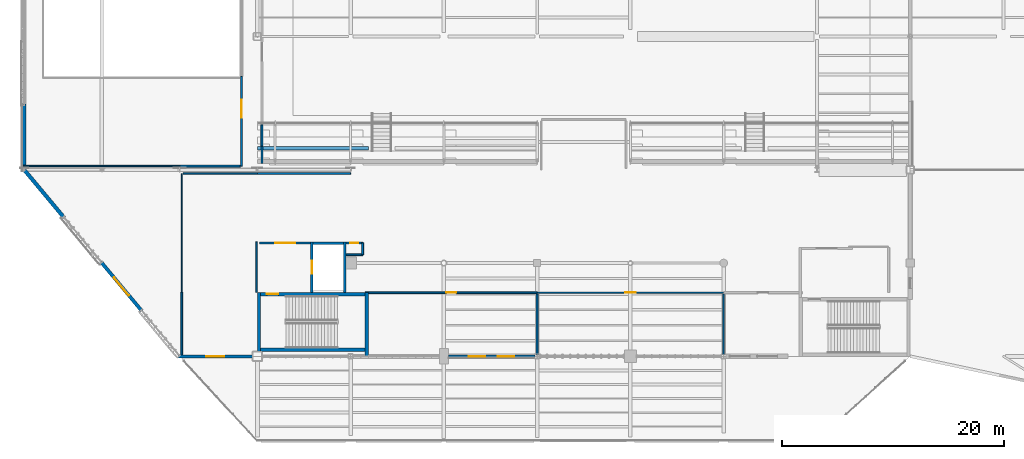
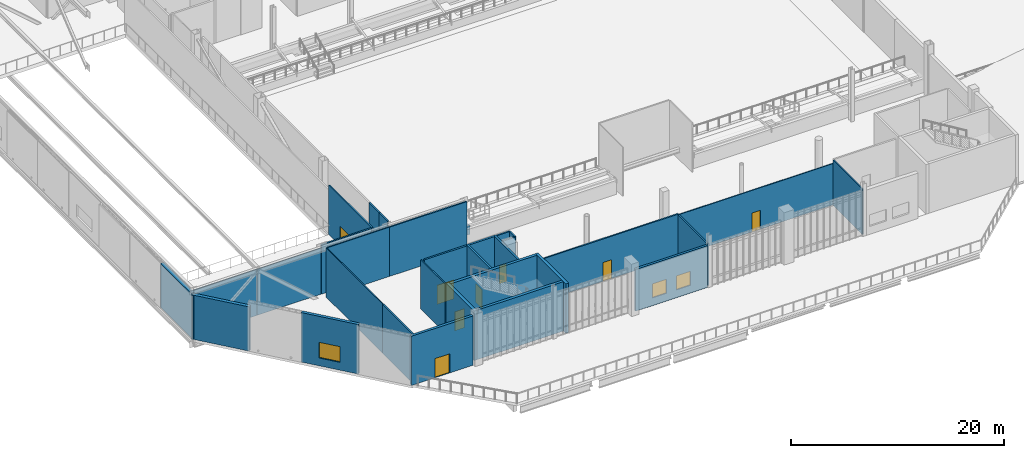
# One storey, part 106 of 135: 32 walls, 8 doors, 3 windows, 11 openings.
"""IFC4 building model written with IfcOpenShell, lengths in metres."""

from ifc_helpers import new_model, si_unit, direction, frame, frame_2d, origin, place, context, subcontext, project, spatial, rectangle, extrude, material, layer, layer_set, type_object, element, fill, save


model = new_model("IFC4")

# Units and contexts
model_context = context("Model", 3, precision=1e-05, world=origin(), true_north=direction((0.0, 1.0)))
body_context = subcontext(model_context, "Body", "Model", "MODEL_VIEW")
ifc_project = project(units=[si_unit("LENGTHUNIT", "METRE"), si_unit("AREAUNIT", "SQUARE_METRE"), si_unit("VOLUMEUNIT", "CUBIC_METRE"), si_unit("PLANEANGLEUNIT", "RADIAN"), si_unit("MASSUNIT", "GRAM", prefix="KILO")], contexts=[model_context])

# Site, building, storey
site_placement = place(None, origin())
site = spatial("IfcSite", under=ifc_project, at=site_placement, CompositionType="ELEMENT")
building_placement = place(site_placement, origin())
building = spatial("IfcBuilding", under=site, at=building_placement, Name="Larkvane Passage Sports Hall", CompositionType="ELEMENT")
storey_placement = place(building_placement, frame((0.0, 0.0, 10.800048828125)))
storey = spatial("IfcBuildingStorey", under=building, at=storey_placement, Name="L02", CompositionType="ELEMENT", Elevation=10.800048828125)

# Walls
ifc_material_1 = material(Name="Concrete C50/60", Category="concrete")
ifc_layer_1 = layer(ifc_material_1, 0.300048828125)
ifc_layer_set_1 = layer_set([ifc_layer_1], Name="Concrete C50/60")
wall_type_1 = type_object("IfcWallType", Name="WL-CORE-300", PredefinedType="SHEAR", material=ifc_layer_set_1)
wall_1_placement = place(storey_placement, frame((44.64990234375, 28.550048828125, 0.0), z_axis=(0.0, 0.0, 1.0), x_axis=(0.0, -1.0, 0.0)))
element("IfcWall", 1, at=wall_1_placement, inside=storey, type_object=wall_type_1, Name="Core shear wall WAL-CORE-C1-L02-E", PredefinedType="SHEAR", context=body_context, shape_type="SweptSolid", body=[
    extrude(rectangle(XDim=5.75, YDim=0.300048828125, at=frame_2d((2.875, 0.0))), origin(), (0.0, 0.0, 1.0), 5.679931640625),
])
wall_2_placement = place(storey_placement, frame((44.5, 23.39990234375, 0.0), z_axis=(0.0, 0.0, 1.0), x_axis=(-1.0, 0.0, 0.0)))
element("IfcWall", 2, at=wall_2_placement, inside=storey, type_object=wall_type_1, Name="Core shear wall WAL-CORE-C1-L02-S", PredefinedType="SHEAR", context=body_context, shape_type="SweptSolid", body=[
    extrude(rectangle(XDim=9.39990234375, YDim=0.300048828125, at=frame_2d((4.699951171875, 0.0))), origin(), (0.0, 0.0, 1.0), 5.679931640625),
])

# Wall, opening, door
wall_3_placement = place(storey_placement, frame((35.10009765625, 28.39990234375, 0.0), z_axis=(0.0, 0.0, 1.0), x_axis=(1.0, 0.0, 0.0)))
wall_3 = element("IfcWall", 3, at=wall_3_placement, inside=storey, type_object=wall_type_1, Name="Core shear wall WAL-CORE-C1-L02-N", PredefinedType="SHEAR", context=body_context, shape_type="SweptSolid", body=[
    extrude(rectangle(XDim=9.39990234375, YDim=0.300048828125, at=frame_2d((4.699951171875, 0.0))), origin(), (0.0, 0.0, 1.0), 5.679931640625),
])
opening_1_placement = place(wall_3_placement, frame((0.550048828125, 0.0, 0.0)))
opening_1 = element("IfcOpeningElement", 4, at=opening_1_placement, cuts=wall_3, Name="Opening DF-01", PredefinedType="OPENING", context=body_context, shape_type="SweptSolid", body=[
    extrude(rectangle(XDim=1.050048828125, YDim=2.199951171875, at=frame_2d((0.52490234375, 1.10009765625))), frame((0.0, 0.159912109375, 0.0), z_axis=(0.0, -1.0, 0.0), x_axis=(1.0, 0.0, 0.0)), (0.0, 0.0, 1.0), 0.320068359375),
])
ifc_material_2 = material(Name="Steel S355JR smoke-sealed fire door", Category="steel")
door_type_1 = type_object("IfcDoorType", Name="DR-FIRE-1050", OperationType="NOTDEFINED", PredefinedType="DOOR", material=ifc_material_2)
door_1_placement = place(opening_1_placement, origin())
door_1 = element("IfcDoor", 5, at=door_1_placement, inside=storey, type_object=door_type_1, Name="Stair ST-01 L02 fire door", OperationType="SINGLE_SWING_RIGHT", OverallHeight=2.199951171875, OverallWidth=1.050048828125, PredefinedType="DOOR", context=body_context, shape_type="SweptSolid", body=[
    extrude(rectangle(XDim=1.050048828125, YDim=2.199951171875, at=frame_2d((0.52490234375, 1.10009765625))), frame((0.0, 0.02490234375, 0.0), z_axis=(0.0, -1.0, 0.0), x_axis=(1.0, 0.0, 0.0)), (0.0, 0.0, 1.0), 0.050048828125),
])
fill(opening_1, door_1)

# Wall
ifc_layer_2 = layer(ifc_material_1, 0.300048828125)
ifc_layer_set_2 = layer_set([ifc_layer_2], Name="Concrete C50/60")
wall_type_2 = type_object("IfcWallType", Name="WL-CORE-EXT-300", PredefinedType="SHEAR", material=ifc_layer_set_2)
wall_4_placement = place(storey_placement, frame((34.949951171875, 23.25, 0.0), z_axis=(0.0, 0.0, 1.0), x_axis=(0.0, 1.0, 0.0)))
element("IfcWall", 6, at=wall_4_placement, inside=storey, type_object=wall_type_2, Name="Core shear wall WAL-CORE-C1-L02-W", PredefinedType="SHEAR", context=body_context, shape_type="SweptSolid", body=[
    extrude(rectangle(XDim=5.300048828125, YDim=0.300048828125, at=frame_2d((2.64990234375, 0.0))), origin(), (0.0, 0.0, 1.0), 5.679931640625),
])

# Wall, openings, windows
ifc_material_3 = material(Name="Concrete C40/50", Category="concrete")
ifc_layer_3 = layer(ifc_material_3, 0.239990234375)
ifc_layer_set_3 = layer_set([ifc_layer_3], Name="Concrete C40/50")
wall_type_3 = type_object("IfcWallType", Name="WL-EXT-240", PredefinedType="SOLIDWALL", material=ifc_layer_set_3)
wall_5_placement = place(storey_placement, frame((59.800537109375, 22.800048828125, 0.0), z_axis=(0.0, 0.0, 1.0), x_axis=(-1.0, 0.0, 0.0)))
wall_5 = element("IfcWall", 7, at=wall_5_placement, inside=storey, type_object=wall_type_3, Name="Exterior wall WAL-EXT-L02-148", PredefinedType="SOLIDWALL", context=body_context, shape_type="SweptSolid", body=[
    extrude(rectangle(XDim=7.804443359375, YDim=0.239990234375, at=frame_2d((3.90234375, 0.0))), origin(), (0.0, 0.0, 1.0), 4.7978515625),
])
opening_2_placement = place(wall_5_placement, frame((1.85107421875, 0.0, 0.89990234375)))
opening_2 = element("IfcOpeningElement", 8, at=opening_2_placement, cuts=wall_5, Name="Opening W-01", PredefinedType="OPENING", context=body_context, shape_type="SweptSolid", body=[
    extrude(rectangle(XDim=1.5, YDim=1.60009765625, at=frame_2d((0.75, 0.800048828125))), frame((0.0, 0.1298828125, 0.0), z_axis=(0.0, -1.0, 0.0), x_axis=(1.0, 0.0, 0.0)), (0.0, 0.0, 1.0), 0.260009765625),
])
opening_3_placement = place(wall_5_placement, frame((4.452880859375, 0.0, 0.89990234375)))
opening_3 = element("IfcOpeningElement", 9, at=opening_3_placement, cuts=wall_5, Name="Opening W-01", PredefinedType="OPENING", context=body_context, shape_type="SweptSolid", body=[
    extrude(rectangle(XDim=1.5, YDim=1.60009765625, at=frame_2d((0.75, 0.800048828125))), frame((0.0, 0.1298828125, 0.0), z_axis=(0.0, -1.0, 0.0), x_axis=(1.0, 0.0, 0.0)), (0.0, 0.0, 1.0), 0.260009765625),
])
ifc_material_4 = material(Name="Thermally broken aluminium and laminated low-E glass", Category="aluminium")
window_type_1 = type_object("IfcWindowType", Name="WN-FIX-1500x1600", PartitioningType="SINGLE_PANEL", PredefinedType="WINDOW", material=ifc_material_4)
window_1_placement = place(opening_2_placement, origin())
window_1 = element("IfcWindow", 10, at=window_1_placement, inside=storey, type_object=window_type_1, Name="Window L02-051", OverallHeight=1.60009765625, OverallWidth=1.5, PartitioningType="SINGLE_PANEL", PredefinedType="WINDOW", context=body_context, shape_type="SweptSolid", body=[
    extrude(rectangle(XDim=1.5, YDim=1.60009765625, at=frame_2d((0.75, 0.800048828125))), frame((0.0, 0.030029296875, 0.0), z_axis=(0.0, -1.0, 0.0), x_axis=(1.0, 0.0, 0.0)), (0.0, 0.0, 1.0), 0.06005859375),
])
fill(opening_2, window_1)
window_2_placement = place(opening_3_placement, origin())
window_2 = element("IfcWindow", 11, at=window_2_placement, inside=storey, type_object=window_type_1, Name="Window L02-052", OverallHeight=1.60009765625, OverallWidth=1.5, PartitioningType="SINGLE_PANEL", PredefinedType="WINDOW", context=body_context, shape_type="SweptSolid", body=[
    extrude(rectangle(XDim=1.5, YDim=1.60009765625, at=frame_2d((0.75, 0.800048828125))), frame((0.0, 0.030029296875, 0.0), z_axis=(0.0, -1.0, 0.0), x_axis=(1.0, 0.0, 0.0)), (0.0, 0.0, 1.0), 0.06005859375),
])
fill(opening_3, window_2)

# Wall, opening, door
ifc_layer_4 = layer(ifc_material_3, 0.27490234375)
ifc_layer_set_4 = layer_set([ifc_layer_4], Name="Concrete C40/50")
wall_type_4 = type_object("IfcWallType", Name="WL-EXT-275", PredefinedType="SOLIDWALL", material=ifc_layer_set_4)
wall_6_placement = place(storey_placement, frame((34.35400390625, 22.800048828125, 0.0), z_axis=(0.0, 0.0, 1.0), x_axis=(-1.0, 0.0, 0.0)))
wall_6 = element("IfcWall", 12, at=wall_6_placement, inside=storey, type_object=wall_type_4, Name="Exterior wall WAL-EXT-L02-149", PredefinedType="SOLIDWALL", context=body_context, shape_type="SweptSolid", body=[
    extrude(rectangle(XDim=6.68603515625, YDim=0.27490234375, at=frame_2d((3.343017578125, 0.0))), origin(), (0.0, 0.0, 1.0), 5.659912109375),
])
opening_4_placement = place(wall_6_placement, frame((2.54296875, 0.0, 0.0)))
opening_4 = element("IfcOpeningElement", 13, at=opening_4_placement, cuts=wall_6, Name="Opening DE-04", PredefinedType="OPENING", context=body_context, shape_type="SweptSolid", body=[
    extrude(rectangle(XDim=1.60009765625, YDim=2.199951171875, at=frame_2d((0.800048828125, 1.10009765625))), frame((0.0, 0.1474609375, 0.0), z_axis=(0.0, -1.0, 0.0), x_axis=(1.0, 0.0, 0.0)), (0.0, 0.0, 1.0), 0.294921875),
])
ifc_material_5 = material(Name="Galvanised steel S355JR fire exit leaf", Category="steel")
door_type_2 = type_object("IfcDoorType", Name="DR-EXIT-1600", OperationType="DOUBLE_DOOR_SINGLE_SWING", PredefinedType="DOOR", material=ifc_material_5)
door_2_placement = place(opening_4_placement, origin())
door_2 = element("IfcDoor", 14, at=door_2_placement, inside=storey, type_object=door_type_2, Name="Exterior door L02-038", OperationType="DOUBLE_DOOR_SINGLE_SWING", OverallHeight=2.199951171875, OverallWidth=1.60009765625, PredefinedType="DOOR", context=body_context, shape_type="SweptSolid", body=[
    extrude(rectangle(XDim=1.60009765625, YDim=2.199951171875, at=frame_2d((0.800048828125, 1.10009765625))), frame((0.0, 0.02490234375, 0.0), z_axis=(0.0, -1.0, 0.0), x_axis=(1.0, 0.0, 0.0)), (0.0, 0.0, 1.0), 0.050048828125),
])
fill(opening_4, door_2)

# Wall, opening, window
ifc_material_6 = material(Name="Precast concrete C45/55", Category="concrete")
ifc_layer_5 = layer(ifc_material_6, 0.31005859375)
ifc_layer_set_5 = layer_set([ifc_layer_5], Name="Precast concrete C45/55")
wall_type_5 = type_object("IfcWallType", Name="WL-EXT-310", PredefinedType="SOLIDWALL", material=ifc_layer_set_5)
wall_7_placement = place(storey_placement, frame((24.395263671875, 26.8857421875, 0.0), z_axis=(0.0, 0.0, 1.0), x_axis=(-0.640213558612, 0.768196979537, 0.0)))
wall_7 = element("IfcWall", 15, at=wall_7_placement, inside=storey, type_object=wall_type_5, Name="Exterior wall WAL-EXT-L02-150", PredefinedType="SOLIDWALL", context=body_context, shape_type="SweptSolid", body=[
    extrude(rectangle(XDim=5.7646484375, YDim=0.31005859375, at=frame_2d((2.88232421875, 0.0))), origin(), (0.0, 0.0, 1.0), 5.679931640625),
])
opening_5_placement = place(wall_7_placement, frame((1.83203125, 0.0, 0.89990234375)))
opening_5 = element("IfcOpeningElement", 16, at=opening_5_placement, cuts=wall_7, Name="Opening W-03", PredefinedType="OPENING", context=body_context, shape_type="SweptSolid", body=[
    extrude(rectangle(XDim=2.10009765625, YDim=1.800048828125, at=frame_2d((1.050048828125, 0.89990234375))), frame((0.0, 0.1650390625, 0.0), z_axis=(0.0, -1.0, 0.0), x_axis=(1.0, 0.0, 0.0)), (0.0, 0.0, 1.0), 0.330078125),
])
window_type_2 = type_object("IfcWindowType", Name="WN-FIX-2100x1800", PartitioningType="DOUBLE_PANEL_VERTICAL", PredefinedType="WINDOW", material=ifc_material_4)
window_3_placement = place(opening_5_placement, origin())
window_3 = element("IfcWindow", 17, at=window_3_placement, inside=storey, type_object=window_type_2, Name="Window L02-053", OverallHeight=1.800048828125, OverallWidth=2.10009765625, PartitioningType="DOUBLE_PANEL_VERTICAL", PredefinedType="WINDOW", context=body_context, shape_type="SweptSolid", body=[
    extrude(rectangle(XDim=2.10009765625, YDim=1.800048828125, at=frame_2d((1.050048828125, 0.89990234375))), frame((0.0, 0.030029296875, 0.0), z_axis=(0.0, -1.0, 0.0), x_axis=(1.0, 0.0, 0.0)), (0.0, 0.0, 1.0), 0.06005859375),
])
fill(opening_5, window_3)

# Walls
ifc_layer_6 = layer(ifc_material_6, 0.344970703125)
ifc_layer_set_6 = layer_set([ifc_layer_6], Name="Precast concrete C45/55")
wall_type_6 = type_object("IfcWallType", Name="WL-EXT-345", PredefinedType="SOLIDWALL", material=ifc_layer_set_6)
wall_8_placement = place(storey_placement, frame((17.406005859375, 35.272705078125, 0.0), z_axis=(0.0, 0.0, 1.0), x_axis=(-0.640159550666, 0.768241986415, 0.0)))
element("IfcWall", 18, at=wall_8_placement, inside=storey, type_object=wall_type_6, Name="Exterior wall WAL-EXT-L02-151", PredefinedType="SOLIDWALL", context=body_context, shape_type="SweptSolid", body=[
    extrude(rectangle(XDim=5.79833984375, YDim=0.344970703125, at=frame_2d((2.899169921875, 0.0))), origin(), (0.0, 0.0, 1.0), 5.079833984375),
])
wall_9_placement = place(storey_placement, frame((13.800048828125, 39.434326171875, 0.0), z_axis=(0.0, 0.0, 1.0), x_axis=(0.0, 1.0, 0.0)))
element("IfcWall", 19, at=wall_9_placement, inside=storey, type_object=wall_type_6, Name="Exterior wall WAL-EXT-L02-152", PredefinedType="SOLIDWALL", context=body_context, shape_type="SweptSolid", body=[
    extrude(rectangle(XDim=6.109130859375, YDim=0.344970703125, at=frame_2d((3.0546875, 0.0))), origin(), (0.0, 0.0, 1.0), 5.079833984375),
])

# Wall, opening, door
ifc_layer_7 = layer(ifc_material_3, 0.199951171875)
ifc_layer_set_7 = layer_set([ifc_layer_7], Name="Concrete C40/50")
wall_type_7 = type_object("IfcWallType", Name="WL-LOBBY-200", PredefinedType="SOLIDWALL", material=ifc_layer_set_7)
wall_10_placement = place(storey_placement, frame((35.0, 33.0, 0.0), z_axis=(0.0, 0.0, 1.0), x_axis=(1.0, 0.0, 0.0)))
wall_10 = element("IfcWall", 20, at=wall_10_placement, inside=storey, type_object=wall_type_7, Name="Protected stair lobby wall C1 L02", PredefinedType="SOLIDWALL", context=body_context, shape_type="SweptSolid", body=[
    extrude(rectangle(XDim=4.60009765625, YDim=0.199951171875, at=frame_2d((2.300048828125, 0.0))), origin(), (0.0, 0.0, 1.0), 5.64990234375),
])
opening_6_placement = place(wall_10_placement, frame((1.39990234375, 0.0, 0.0)))
opening_6 = element("IfcOpeningElement", 21, at=opening_6_placement, cuts=wall_10, Name="Opening DF-02", PredefinedType="OPENING", context=body_context, shape_type="SweptSolid", body=[
    extrude(rectangle(XDim=1.800048828125, YDim=2.199951171875, at=frame_2d((0.89990234375, 1.10009765625))), frame((0.0, 0.10986328125, 0.0), z_axis=(0.0, -1.0, 0.0), x_axis=(1.0, 0.0, 0.0)), (0.0, 0.0, 1.0), 0.219970703125),
])
ifc_material_7 = material(Name="Steel S355JR double smoke-sealed fire door", Category="steel")
door_type_3 = type_object("IfcDoorType", Name="DR-FIRE-1800", OperationType="DOUBLE_DOOR_SINGLE_SWING", PredefinedType="DOOR", material=ifc_material_7)
door_3_placement = place(opening_6_placement, origin())
door_3 = element("IfcDoor", 22, at=door_3_placement, inside=storey, type_object=door_type_3, Name="Lobby smoke door C1 L02", OperationType="DOUBLE_DOOR_SINGLE_SWING", OverallHeight=2.199951171875, OverallWidth=1.800048828125, PredefinedType="DOOR", context=body_context, shape_type="SweptSolid", body=[
    extrude(rectangle(XDim=1.800048828125, YDim=2.199951171875, at=frame_2d((0.89990234375, 1.10009765625))), frame((0.0, 0.02490234375, 0.0), z_axis=(0.0, -1.0, 0.0), x_axis=(1.0, 0.0, 0.0)), (0.0, 0.0, 1.0), 0.050048828125),
])
fill(opening_6, door_3)

# Wall
ifc_material_8 = material(Name="Gypsum twin-stud acoustic partition")
ifc_layer_8 = layer(ifc_material_8, 0.10009765625)
ifc_layer_set_8 = layer_set([ifc_layer_8], Name="Gypsum twin-stud acoustic partition")
wall_type_8 = type_object("IfcWallType", Name="WL-PART-100", PredefinedType="PARTITIONING", material=ifc_layer_set_8)
wall_11_placement = place(storey_placement, frame((27.800048828125, 39.93994140625, 0.0), z_axis=(0.0, 0.0, 1.0), x_axis=(-1.0, 0.0, 0.0)))
element("IfcWall", 23, at=wall_11_placement, inside=storey, type_object=wall_type_8, Name="Interior partition WAL-PART-L02-0210", PredefinedType="PARTITIONING", context=body_context, shape_type="SweptSolid", body=[
    extrude(rectangle(XDim=7.0, YDim=0.10009765625, at=frame_2d((3.5, 0.0))), origin(), (0.0, 0.0, 1.0), 5.280029296875),
])

# Wall, opening, door
wall_12_placement = place(storey_placement, frame((60.02001953125, 28.530029296875, 0.0), z_axis=(0.0, 0.0, 1.0), x_axis=(1.0, 0.0, 0.0)))
wall_12 = element("IfcWall", 24, at=wall_12_placement, inside=storey, type_object=wall_type_8, Name="Interior partition WAL-PART-L02-0218", PredefinedType="PARTITIONING", context=body_context, shape_type="SweptSolid", body=[
    extrude(rectangle(XDim=16.780029296875, YDim=0.10009765625, at=frame_2d((8.39013671875, 0.0))), origin(), (0.0, 0.0, 1.0), 4.75),
])
opening_7_placement = place(wall_12_placement, frame((7.929931640625, 0.0, 0.0)))
opening_7 = element("IfcOpeningElement", 25, at=opening_7_placement, cuts=wall_12, Name="Opening DI-02", PredefinedType="OPENING", context=body_context, shape_type="SweptSolid", body=[
    extrude(rectangle(XDim=0.919921875, YDim=2.14990234375, at=frame_2d((0.4599609375, 1.074951171875))), frame((0.0, 0.06005859375, 0.0), z_axis=(0.0, -1.0, 0.0), x_axis=(1.0, 0.0, 0.0)), (0.0, 0.0, 1.0), 0.1201171875),
])
ifc_material_9 = material(Name="Moisture-resistant laminate room door")
door_type_4 = type_object("IfcDoorType", Name="DR-INT-900", OperationType="NOTDEFINED", PredefinedType="DOOR", material=ifc_material_9)
door_4_placement = place(opening_7_placement, origin())
door_4 = element("IfcDoor", 26, at=door_4_placement, inside=storey, type_object=door_type_4, Name="Interior door L02-0071", OperationType="SINGLE_SWING_RIGHT", OverallHeight=2.14990234375, OverallWidth=0.919921875, PredefinedType="DOOR", context=body_context, shape_type="SweptSolid", body=[
    extrude(rectangle(XDim=0.919921875, YDim=2.14990234375, at=frame_2d((0.4599609375, 1.074951171875))), frame((0.0, 0.02490234375, 0.0), z_axis=(0.0, -1.0, 0.0), x_axis=(1.0, 0.0, 0.0)), (0.0, 0.0, 1.0), 0.050048828125),
])
fill(opening_7, door_4)

# Walls
wall_13_placement = place(storey_placement, frame((28.0, 28.60009765625, 0.0), z_axis=(0.0, 0.0, 1.0), x_axis=(0.0, 1.0, 0.0)))
element("IfcWall", 27, at=wall_13_placement, inside=storey, type_object=wall_type_8, Name="Interior partition WAL-PART-L02-0246", PredefinedType="PARTITIONING", context=body_context, shape_type="SweptSolid", body=[
    extrude(rectangle(XDim=10.659912109375, YDim=0.10009765625, at=frame_2d((5.330078125, 0.0))), origin(), (0.0, 0.0, 1.0), 5.64990234375),
])
ifc_material_10 = material(Name="Gypsum twin-stud fire-rated partition")
ifc_layer_9 = layer(ifc_material_10, 0.125)
ifc_layer_set_9 = layer_set([ifc_layer_9], Name="Gypsum twin-stud fire-rated partition")
wall_type_9 = type_object("IfcWallType", Name="WL-PART-125", PredefinedType="PARTITIONING", material=ifc_layer_set_9)
wall_14_placement = place(storey_placement, frame((20.800048828125, 39.93994140625, 0.0), z_axis=(0.0, 0.0, 1.0), x_axis=(-1.0, 0.0, 0.0)))
element("IfcWall", 28, at=wall_14_placement, inside=storey, type_object=wall_type_9, Name="Interior partition WAL-PART-L02-0211", PredefinedType="PARTITIONING", context=body_context, shape_type="SweptSolid", body=[
    extrude(rectangle(XDim=7.151611328125, YDim=0.125, at=frame_2d((3.57568359375, 0.0))), origin(), (0.0, 0.0, 1.0), 5.280029296875),
])
wall_15_placement = place(storey_placement, frame((76.800048828125, 28.409912109375, 0.0), z_axis=(0.0, 0.0, 1.0), x_axis=(0.0, -1.0, 0.0)))
element("IfcWall", 29, at=wall_15_placement, inside=storey, type_object=wall_type_9, Name="Interior partition WAL-PART-L02-0219", PredefinedType="PARTITIONING", context=body_context, shape_type="SweptSolid", body=[
    extrude(rectangle(XDim=5.48095703125, YDim=0.125, at=frame_2d((2.740478515625, 0.0))), origin(), (0.0, 0.0, 1.0), 5.2099609375),
])
wall_16_placement = place(storey_placement, frame((28.1201171875, 39.260009765625, 0.0), z_axis=(0.0, 0.0, 1.0), x_axis=(1.0, 0.0, 0.0)))
element("IfcWall", 30, at=wall_16_placement, inside=storey, type_object=wall_type_9, Name="Interior partition WAL-PART-L02-0247", PredefinedType="PARTITIONING", context=body_context, shape_type="SweptSolid", body=[
    extrude(rectangle(XDim=6.679931640625, YDim=0.125, at=frame_2d((3.33984375, 0.0))), origin(), (0.0, 0.0, 1.0), 5.64990234375),
])
wall_17_placement = place(storey_placement, frame((34.739990234375, 33.10009765625, 0.0), z_axis=(0.0, 0.0, 1.0), x_axis=(0.0, -1.0, 0.0)))
element("IfcWall", 31, at=wall_17_placement, inside=storey, type_object=wall_type_9, Name="Interior partition WAL-PART-L02-0251", PredefinedType="PARTITIONING", context=body_context, shape_type="SweptSolid", body=[
    extrude(rectangle(XDim=4.550048828125, YDim=0.125, at=frame_2d((2.27490234375, 0.0))), origin(), (0.0, 0.0, 1.0), 5.64990234375),
])
ifc_material_11 = material(Name="Gypsum acoustic partition")
ifc_layer_10 = layer(ifc_material_11, 0.14990234375)
ifc_layer_set_10 = layer_set([ifc_layer_10], Name="Gypsum acoustic partition")
wall_type_10 = type_object("IfcWallType", Name="WL-PART-150", PredefinedType="PARTITIONING", material=ifc_layer_set_10)
wall_18_placement = place(storey_placement, frame((35.219970703125, 40.18603515625, 0.0), z_axis=(0.0, 0.0, 1.0), x_axis=(0.0, 1.0, 0.0)))
element("IfcWall", 32, at=wall_18_placement, inside=storey, type_object=wall_type_10, Name="Interior partition WAL-PART-L02-0200", PredefinedType="PARTITIONING", context=body_context, shape_type="SweptSolid", body=[
    extrude(rectangle(XDim=1.528076171875, YDim=0.14990234375, at=frame_2d((0.76416015625, 0.0))), origin(), (0.0, 0.0, 1.0), 5.64990234375),
])

# Wall, opening, door
wall_19_placement = place(storey_placement, frame((33.3798828125, 48.02001953125, 0.0), z_axis=(0.0, 0.0, 1.0), x_axis=(0.0, -1.0, 0.0)))
wall_19 = element("IfcWall", 33, at=wall_19_placement, inside=storey, type_object=wall_type_10, Name="Interior partition WAL-PART-L02-0208", PredefinedType="PARTITIONING", context=body_context, shape_type="SweptSolid", body=[
    extrude(rectangle(XDim=8.080078125, YDim=0.14990234375, at=frame_2d((4.0400390625, 0.0))), origin(), (0.0, 0.0, 1.0), 5.64990234375),
])
opening_8_placement = place(wall_19_placement, frame((2.1279296875, 0.0, 0.0)))
opening_8 = element("IfcOpeningElement", 34, at=opening_8_placement, cuts=wall_19, Name="Opening DI-03", PredefinedType="OPENING", context=body_context, shape_type="SweptSolid", body=[
    extrude(rectangle(XDim=1.60009765625, YDim=2.199951171875, at=frame_2d((0.800048828125, 1.10009765625))), frame((0.0, 0.0849609375, 0.0), z_axis=(0.0, -1.0, 0.0), x_axis=(1.0, 0.0, 0.0)), (0.0, 0.0, 1.0), 0.169921875),
])
ifc_material_12 = material(Name="Glazed aluminium studio double door", Category="aluminium")
door_type_5 = type_object("IfcDoorType", Name="DR-INT-1600", OperationType="DOUBLE_DOOR_SINGLE_SWING", PredefinedType="DOOR", material=ifc_material_12)
door_5_placement = place(opening_8_placement, origin())
door_5 = element("IfcDoor", 35, at=door_5_placement, inside=storey, type_object=door_type_5, Name="Interior door L02-0076", OperationType="DOUBLE_DOOR_SINGLE_SWING", OverallHeight=2.199951171875, OverallWidth=1.60009765625, PredefinedType="DOOR", context=body_context, shape_type="SweptSolid", body=[
    extrude(rectangle(XDim=1.60009765625, YDim=2.199951171875, at=frame_2d((0.800048828125, 1.10009765625))), frame((0.0, 0.02490234375, 0.0), z_axis=(0.0, -1.0, 0.0), x_axis=(1.0, 0.0, 0.0)), (0.0, 0.0, 1.0), 0.050048828125),
])
fill(opening_8, door_5)

wall_20_placement = place(storey_placement, frame((44.5400390625, 28.530029296875, 0.0), z_axis=(0.0, 0.0, 1.0), x_axis=(1.0, 0.0, 0.0)))
wall_20 = element("IfcWall", 36, at=wall_20_placement, inside=storey, type_object=wall_type_10, Name="Interior partition WAL-PART-L02-0216", PredefinedType="PARTITIONING", context=body_context, shape_type="SweptSolid", body=[
    extrude(rectangle(XDim=15.4599609375, YDim=0.14990234375, at=frame_2d((7.72998046875, 0.0))), origin(), (0.0, 0.0, 1.0), 4.85791015625),
])
opening_9_placement = place(wall_20_placement, frame((7.27001953125, 0.0, 0.0)))
opening_9 = element("IfcOpeningElement", 37, at=opening_9_placement, cuts=wall_20, Name="Opening DI-02", PredefinedType="OPENING", context=body_context, shape_type="SweptSolid", body=[
    extrude(rectangle(XDim=0.919921875, YDim=2.14990234375, at=frame_2d((0.4599609375, 1.074951171875))), frame((0.0, 0.0849609375, 0.0), z_axis=(0.0, -1.0, 0.0), x_axis=(1.0, 0.0, 0.0)), (0.0, 0.0, 1.0), 0.169921875),
])
door_6_placement = place(opening_9_placement, origin())
door_6 = element("IfcDoor", 38, at=door_6_placement, inside=storey, type_object=door_type_4, Name="Interior door L02-0072", OperationType="SINGLE_SWING_LEFT", OverallHeight=2.14990234375, OverallWidth=0.919921875, PredefinedType="DOOR", context=body_context, shape_type="SweptSolid", body=[
    extrude(rectangle(XDim=0.919921875, YDim=2.14990234375, at=frame_2d((0.4599609375, 1.074951171875))), frame((0.0, 0.02490234375, 0.0), z_axis=(0.0, -1.0, 0.0), x_axis=(1.0, 0.0, 0.0)), (0.0, 0.0, 1.0), 0.050048828125),
])
fill(opening_9, door_6)

# Walls
wall_21_placement = place(storey_placement, frame((34.800048828125, 39.260009765625, 0.0), z_axis=(0.0, 0.0, 1.0), x_axis=(1.0, 0.0, 0.0)))
element("IfcWall", 39, at=wall_21_placement, inside=storey, type_object=wall_type_10, Name="Interior partition WAL-PART-L02-0248", PredefinedType="PARTITIONING", context=body_context, shape_type="SweptSolid", body=[
    extrude(rectangle(XDim=8.39990234375, YDim=0.14990234375, at=frame_2d((4.199951171875, 0.0))), origin(), (0.0, 0.0, 1.0), 5.64990234375),
])
wall_22_placement = place(storey_placement, frame((28.0, 22.93359375, 0.0), z_axis=(0.0, 0.0, 1.0), x_axis=(0.0, 1.0, 0.0)))
element("IfcWall", 40, at=wall_22_placement, inside=storey, type_object=wall_type_10, Name="Interior partition WAL-PART-L02-0252", PredefinedType="PARTITIONING", context=body_context, shape_type="SweptSolid", body=[
    extrude(rectangle(XDim=5.616455078125, YDim=0.14990234375, at=frame_2d((2.80810546875, 0.0))), origin(), (0.0, 0.0, 1.0), 5.64990234375),
])
ifc_material_13 = material(Name="Gypsum high-bay court partition")
ifc_layer_11 = layer(ifc_material_13, 0.179931640625)
ifc_layer_set_11 = layer_set([ifc_layer_11], Name="Gypsum high-bay court partition")
wall_type_11 = type_object("IfcWallType", Name="WL-PART-180", PredefinedType="PARTITIONING", material=ifc_layer_set_11)
wall_23_placement = place(storey_placement, frame((35.219970703125, 41.7060546875, 0.0), z_axis=(0.0, 0.0, 1.0), x_axis=(0.0, 1.0, 0.0)))
element("IfcWall", 41, at=wall_23_placement, inside=storey, type_object=wall_type_11, Name="Interior partition WAL-PART-L02-0201", PredefinedType="PARTITIONING", context=body_context, shape_type="SweptSolid", body=[
    extrude(rectangle(XDim=1.93798828125, YDim=0.179931640625, at=frame_2d((0.968994140625, 0.0))), origin(), (0.0, 0.0, 1.0), 5.64990234375),
])
wall_24_placement = place(storey_placement, frame((33.260009765625, 39.93994140625, 0.0), z_axis=(0.0, 0.0, 1.0), x_axis=(-1.0, 0.0, 0.0)))
element("IfcWall", 42, at=wall_24_placement, inside=storey, type_object=wall_type_11, Name="Interior partition WAL-PART-L02-0209", PredefinedType="PARTITIONING", context=body_context, shape_type="SweptSolid", body=[
    extrude(rectangle(XDim=5.4599609375, YDim=0.179931640625, at=frame_2d((2.72998046875, 0.0))), origin(), (0.0, 0.0, 1.0), 5.64990234375),
])
wall_25_placement = place(storey_placement, frame((60.0, 28.409912109375, 0.0), z_axis=(0.0, 0.0, 1.0), x_axis=(0.0, -1.0, 0.0)))
element("IfcWall", 43, at=wall_25_placement, inside=storey, type_object=wall_type_11, Name="Interior partition WAL-PART-L02-0217", PredefinedType="PARTITIONING", context=body_context, shape_type="SweptSolid", body=[
    extrude(rectangle(XDim=5.475830078125, YDim=0.179931640625, at=frame_2d((2.73779296875, 0.0))), origin(), (0.0, 0.0, 1.0), 4.800048828125),
])

# Wall, opening, door
ifc_material_14 = material(Name="Moisture-resistant shaftliner partition")
ifc_layer_12 = layer(ifc_material_14, 0.175048828125)
ifc_layer_set_12 = layer_set([ifc_layer_12], Name="Moisture-resistant shaftliner partition")
wall_type_12 = type_object("IfcWallType", Name="WL-PLUMB-175", PredefinedType="PLUMBINGWALL", material=ifc_layer_set_12)
wall_26_placement = place(storey_placement, frame((42.800048828125, 33.010009765625, 0.0), z_axis=(0.0, 0.0, 1.0), x_axis=(1.0, 0.0, 0.0)))
wall_26 = element("IfcWall", 44, at=wall_26_placement, inside=storey, type_object=wall_type_12, Name="Service riser chase front wall C1 L02", PredefinedType="PLUMBINGWALL", context=body_context, shape_type="SweptSolid", body=[
    extrude(rectangle(XDim=1.47998046875, YDim=0.175048828125, at=frame_2d((0.739990234375, 0.0))), origin(), (0.0, 0.0, 1.0), 5.64990234375),
])
opening_10_placement = place(wall_26_placement, frame((0.360107421875, 0.0, 0.0)))
opening_10 = element("IfcOpeningElement", 45, at=opening_10_placement, cuts=wall_26, Name="Opening DA-01", PredefinedType="OPENING", context=body_context, shape_type="SweptSolid", body=[
    extrude(rectangle(XDim=0.75, YDim=2.050048828125, at=frame_2d((0.375, 1.02490234375))), frame((0.0, 0.097412109375, 0.0), z_axis=(0.0, -1.0, 0.0), x_axis=(1.0, 0.0, 0.0)), (0.0, 0.0, 1.0), 0.195068359375),
])
ifc_material_15 = material(Name="Steel S355JR service riser access door", Category="steel")
door_type_6 = type_object("IfcDoorType", Name="DR-RISER-750", OperationType="NOTDEFINED", PredefinedType="DOOR", material=ifc_material_15)
door_7_placement = place(opening_10_placement, origin())
door_7 = element("IfcDoor", 46, at=door_7_placement, inside=storey, type_object=door_type_6, Name="Service riser access door C1 L02", OperationType="SINGLE_SWING_LEFT", OverallHeight=2.050048828125, OverallWidth=0.75, PredefinedType="DOOR", context=body_context, shape_type="SweptSolid", body=[
    extrude(rectangle(XDim=0.75, YDim=2.050048828125, at=frame_2d((0.375, 1.02490234375))), frame((0.0, 0.02490234375, 0.0), z_axis=(0.0, -1.0, 0.0), x_axis=(1.0, 0.0, 0.0)), (0.0, 0.0, 1.0), 0.050048828125),
])
fill(opening_10, door_7)

# Walls
wall_27_placement = place(storey_placement, frame((44.280029296875, 31.949951171875, 0.0), z_axis=(0.0, 0.0, 1.0), x_axis=(0.0, 1.0, 0.0)))
element("IfcWall", 47, at=wall_27_placement, inside=storey, type_object=wall_type_12, Name="Service riser chase side wall C1 L02", PredefinedType="PLUMBINGWALL", context=body_context, shape_type="SweptSolid", body=[
    extrude(rectangle(XDim=1.06005859375, YDim=0.175048828125, at=frame_2d((0.530029296875, 0.0))), origin(), (0.0, 0.0, 1.0), 5.64990234375),
])
wall_28_placement = place(storey_placement, frame((42.800048828125, 31.949951171875, 0.0), z_axis=(0.0, 0.0, 1.0), x_axis=(1.0, 0.0, 0.0)))
element("IfcWall", 48, at=wall_28_placement, inside=storey, type_object=wall_type_12, Name="Service riser chase rear wall C1 L02", PredefinedType="PLUMBINGWALL", context=body_context, shape_type="SweptSolid", body=[
    extrude(rectangle(XDim=1.47998046875, YDim=0.175048828125, at=frame_2d((0.739990234375, 0.0))), origin(), (0.0, 0.0, 1.0), 5.64990234375),
])

# Wall, opening, door
ifc_layer_13 = layer(ifc_material_3, 0.219970703125)
ifc_layer_set_13 = layer_set([ifc_layer_13], Name="Concrete C40/50")
wall_type_13 = type_object("IfcWallType", Name="WL-SHAFT-220", PredefinedType="SOLIDWALL", material=ifc_layer_set_13)
wall_29_placement = place(storey_placement, frame((39.7099609375, 28.550048828125, 0.0), z_axis=(0.0, 0.0, 1.0), x_axis=(0.0, 1.0, 0.0)))
wall_29 = element("IfcWall", 49, at=wall_29_placement, inside=storey, type_object=wall_type_13, Name="Lift shaft front wall FL-01 L02", PredefinedType="SOLIDWALL", context=body_context, shape_type="SweptSolid", body=[
    extrude(rectangle(XDim=4.550048828125, YDim=0.219970703125, at=frame_2d((2.27490234375, 0.0))), origin(), (0.0, 0.0, 1.0), 5.679931640625),
])
opening_11_placement = place(wall_29_placement, frame((1.675048828125, 0.0, 0.0)))
opening_11 = element("IfcOpeningElement", 50, at=opening_11_placement, cuts=wall_29, Name="Opening LD-01", PredefinedType="OPENING", context=body_context, shape_type="SweptSolid", body=[
    extrude(rectangle(XDim=1.199951171875, YDim=2.199951171875, at=frame_2d((0.60009765625, 1.10009765625))), frame((0.0, 0.119873046875, 0.0), z_axis=(0.0, -1.0, 0.0), x_axis=(1.0, 0.0, 0.0)), (0.0, 0.0, 1.0), 0.239990234375),
])
ifc_material_16 = material(Name="Stainless steel S355JR lift landing door", Category="steel")
door_type_7 = type_object("IfcDoorType", Name="DR-LIFT-1200", OperationType="SLIDING_TO_LEFT", PredefinedType="DOOR", material=ifc_material_16)
door_8_placement = place(opening_11_placement, origin())
door_8 = element("IfcDoor", 51, at=door_8_placement, inside=storey, type_object=door_type_7, Name="Lift landing door FL-01 L02", OperationType="SLIDING_TO_LEFT", OverallHeight=2.199951171875, OverallWidth=1.199951171875, PredefinedType="DOOR", context=body_context, shape_type="SweptSolid", body=[
    extrude(rectangle(XDim=1.199951171875, YDim=2.199951171875, at=frame_2d((0.60009765625, 1.10009765625))), frame((0.0, 0.02490234375, 0.0), z_axis=(0.0, -1.0, 0.0), x_axis=(1.0, 0.0, 0.0)), (0.0, 0.0, 1.0), 0.050048828125),
])
fill(opening_11, door_8)

# Walls
wall_30_placement = place(storey_placement, frame((42.68994140625, 28.550048828125, 0.0), z_axis=(0.0, 0.0, 1.0), x_axis=(0.0, 1.0, 0.0)))
element("IfcWall", 52, at=wall_30_placement, inside=storey, type_object=wall_type_13, Name="Lift shaft rear wall FL-01 L02", PredefinedType="SOLIDWALL", context=body_context, shape_type="SweptSolid", body=[
    extrude(rectangle(XDim=4.550048828125, YDim=0.219970703125, at=frame_2d((2.27490234375, 0.0))), origin(), (0.0, 0.0, 1.0), 5.679931640625),
])
wall_31_placement = place(storey_placement, frame((39.820068359375, 32.989990234375, 0.0), z_axis=(0.0, 0.0, 1.0), x_axis=(1.0, 0.0, 0.0)))
element("IfcWall", 53, at=wall_31_placement, inside=storey, type_object=wall_type_13, Name="Lift shaft end wall FL-01 L02", PredefinedType="SOLIDWALL", context=body_context, shape_type="SweptSolid", body=[
    extrude(rectangle(XDim=2.760009765625, YDim=0.219970703125, at=frame_2d((1.3798828125, 0.0))), origin(), (0.0, 0.0, 1.0), 5.679931640625),
])
ifc_layer_14 = layer(ifc_material_3, 0.320068359375)
ifc_layer_set_14 = layer_set([ifc_layer_14], Name="Concrete C40/50")
wall_type_14 = type_object("IfcWallType", Name="WL-STAND-320", PredefinedType="SOLIDWALL", material=ifc_layer_set_14)
wall_32_placement = place(storey_placement, frame((34.800048828125, 41.550048828125, 0.0), z_axis=(0.0, 0.0, 1.0), x_axis=(1.0, 0.0, 0.0)))
element("IfcWall", 54, at=wall_32_placement, inside=storey, type_object=wall_type_14, Name="Arena stand middle riser wall S-W1", PredefinedType="SOLIDWALL", context=body_context, shape_type="SweptSolid", body=[
    extrude(rectangle(XDim=10.0, YDim=0.320068359375, at=frame_2d((5.0, 0.0))), origin(), (0.0, 0.0, 1.0), 1.06494140625),
])

save(model, "model.ifc")
